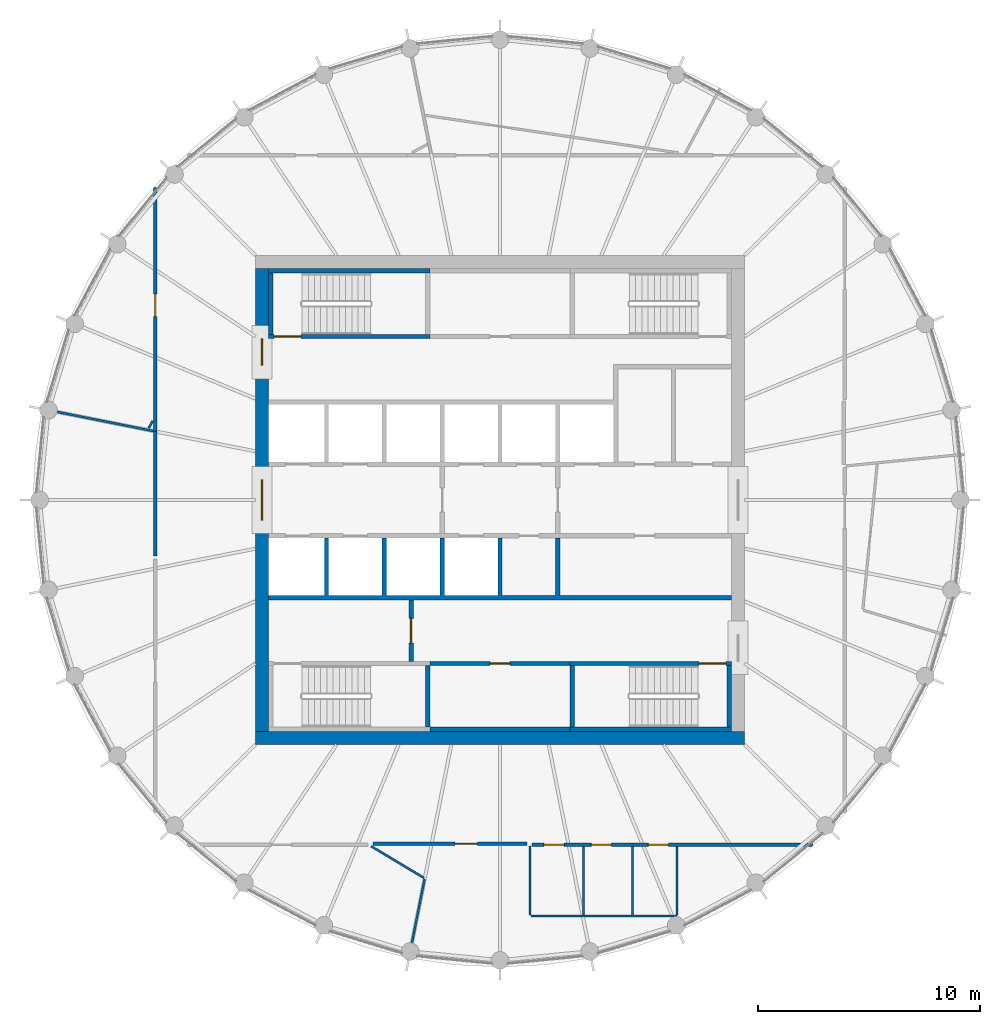
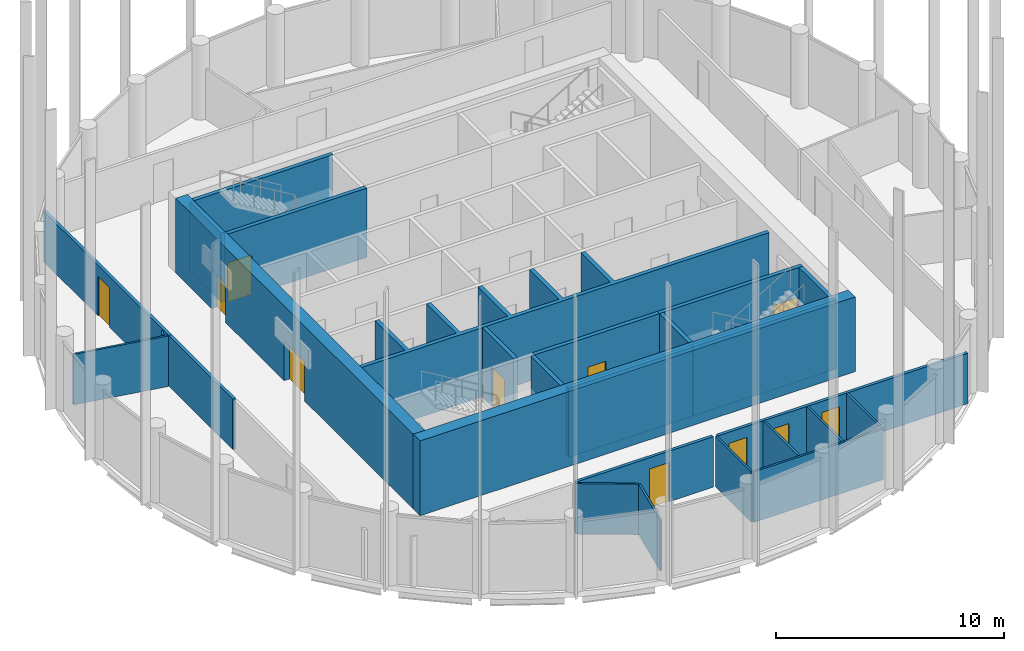
# One storey, part 4 of 7: 27 walls, 11 doors, 11 openings.
"""IFC4 building model written with IfcOpenShell, lengths in metres."""

import ifcopenshell
import ifcopenshell.guid

model = None  # the IFC model being written
_history = None  # IfcOwnerHistory: only IFC2X3 demands one
_inside = {}  # id of a spatial element -> (the spatial element, [elements in it])
_under = {}  # id of a project, library or spatial element -> (it, [spatial elements below it])
_declared = {}  # id of a project -> (the project, [libraries it declares])
_typed = {}  # id of a type object -> (the type object, [elements of that type])
_made_of = {}  # id of a material, layer set ... -> (it, [elements and type objects made of it])


def new_model(schema):
    """Start an empty IFC model of exactly this schema.

    Asked for "IFC4X3", IfcOpenShell would pick the latest addendum, in which some entities
    have other attributes; the version numbers below select the first issue.
    IFC2X3 requires an IfcOwnerHistory on every rooted entity: one is made here for all.
    """
    global model, _history
    if schema == "IFC4X3":
        model = ifcopenshell.file(schema_version=(4, 3, 0, 0))
    else:
        model = ifcopenshell.file(schema=schema)
    _inside.clear()
    _under.clear()
    _declared.clear()
    _typed.clear()
    _made_of.clear()
    _history = None
    if model.schema == "IFC2X3":
        org = make("IfcOrganization", Name="unknown")
        user = make(
            "IfcPersonAndOrganization",
            ThePerson=make("IfcPerson", FamilyName="unknown"),
            TheOrganization=org,
        )
        app = make(
            "IfcApplication",
            ApplicationDeveloper=org,
            Version="unknown",
            ApplicationFullName="unknown",
            ApplicationIdentifier="unknown",
        )
        _history = make(
            "IfcOwnerHistory",
            OwningUser=user,
            OwningApplication=app,
            ChangeAction="ADDED",
            CreationDate=0,
        )
    return model


def make(cls, **values):
    """One entity of the class cls with the attributes given. An attribute that is None is left unset."""
    return model.create_entity(
        cls, **{name: value for name, value in values.items() if value is not None}
    )


def rooted(cls, **values):
    """An entity with a GlobalId (a new one), such as an element, a storey or a relation."""
    return make(cls, GlobalId=ifcopenshell.guid.new(), OwnerHistory=_history, **values)


def si_unit(unit_type, name, prefix=None):
    """IfcSIUnit, for example si_unit("LENGTHUNIT", "METRE", prefix="MILLI")."""
    return make("IfcSIUnit", UnitType=unit_type, Prefix=prefix, Name=name)


def assignment(units):
    """IfcUnitAssignment: the units of a project."""
    return None if units is None else make("IfcUnitAssignment", Units=units)


def point(xyz):
    """IfcCartesianPoint."""
    return None if xyz is None else make("IfcCartesianPoint", Coordinates=xyz)


def direction(xyz):
    """IfcDirection."""
    return None if xyz is None else make("IfcDirection", DirectionRatios=xyz)


def frame(location, z_axis=None, x_axis=None):
    """IfcAxis2Placement3D, a coordinate frame: its origin and axes. An axis left out is left unset."""
    return make(
        "IfcAxis2Placement3D",
        Location=point(location),
        Axis=direction(z_axis),
        RefDirection=direction(x_axis),
    )


def frame_2d(location, x_axis=None):
    """IfcAxis2Placement2D, a coordinate frame in the plane: its origin and x axis."""
    return make(
        "IfcAxis2Placement2D", Location=point(location), RefDirection=direction(x_axis)
    )


def origin():
    """The frame at (0, 0, 0) with its axes left unset."""
    return frame((0.0, 0.0, 0.0))


def place(relative_to, where):
    """IfcLocalPlacement: puts the frame where relative to a parent placement (None: the world)."""
    return make(
        "IfcLocalPlacement", PlacementRelTo=relative_to, RelativePlacement=where
    )


def context(
    kind, dimensions, precision=None, world=None, true_north=None, identifier=None
):
    """IfcGeometricRepresentationContext, for example the 3D "Model" context."""
    return make(
        "IfcGeometricRepresentationContext",
        ContextIdentifier=identifier,
        ContextType=kind,
        CoordinateSpaceDimension=dimensions,
        Precision=precision,
        WorldCoordinateSystem=world,
        TrueNorth=true_north,
    )


def subcontext(parent, identifier, kind, view, scale=None):
    """IfcGeometricRepresentationSubContext, for example "Body" below "Model"."""
    return make(
        "IfcGeometricRepresentationSubContext",
        ContextIdentifier=identifier,
        ContextType=kind,
        ParentContext=parent,
        TargetScale=scale,
        TargetView=view,
    )


def project(units=None, contexts=None):
    """IfcProject with its units and contexts."""
    return rooted(
        "IfcProject",
        Name="project",
        RepresentationContexts=contexts,
        UnitsInContext=assignment(units),
    )


def spatial(cls, under=None, at=None, **own):
    """A site, building, storey or space (cls), placed at a placement, below another one or the project."""
    s = rooted(cls, ObjectPlacement=at, **own)
    if under is not None:
        _under.setdefault(under.id(), (under, []))[1].append(s)
    return s


def polyline(points):
    """IfcPolyline through the points."""
    return make("IfcPolyline", Points=[point(p) for p in points])


def profile(cls, at=None, kind="AREA", **sizes):
    """A parametric profile (cls). Its sizes go by their IFC names, for example OverallWidth=200.0."""
    return make(cls, ProfileType=kind, Position=at, **sizes)


def rectangle(**sizes):
    """IfcRectangleProfileDef."""
    return profile("IfcRectangleProfileDef", **sizes)


def outline(outer, holes=None, kind="AREA"):
    """IfcArbitraryClosedProfileDef: a profile drawn as a closed curve; with holes, ...WithVoids."""
    if holes is None:
        return make("IfcArbitraryClosedProfileDef", ProfileType=kind, OuterCurve=outer)
    return make(
        "IfcArbitraryProfileDefWithVoids",
        ProfileType=kind,
        OuterCurve=outer,
        InnerCurves=holes,
    )


def extrude(swept, where, along, depth):
    """IfcExtrudedAreaSolid: the profile swept, set in the frame where, extruded along a direction by depth."""
    return make(
        "IfcExtrudedAreaSolid",
        SweptArea=swept,
        Position=where,
        ExtrudedDirection=direction(along),
        Depth=depth,
    )


def shape(context_of_items, identifier, shape_type, items):
    """IfcShapeRepresentation: the items that make up one representation, for example the "Body"."""
    return make(
        "IfcShapeRepresentation",
        ContextOfItems=context_of_items,
        RepresentationIdentifier=identifier,
        RepresentationType=shape_type,
        Items=items,
    )


def material(Name=None, Category=None):
    """IfcMaterial."""
    return make("IfcMaterial", Name=Name, Category=Category)


def layer(
    of_material, thickness, ventilated=None, Name=None, Category=None, Priority=None
):
    """IfcMaterialLayer: one layer of a wall or slab, of a material (None: an air gap)."""
    return make(
        "IfcMaterialLayer",
        Material=of_material,
        LayerThickness=thickness,
        IsVentilated=ventilated,
        Name=Name,
        Category=Category,
        Priority=Priority,
    )


def layer_set(layers, Name=None):
    """IfcMaterialLayerSet."""
    return make("IfcMaterialLayerSet", MaterialLayers=layers, LayerSetName=Name)


def made_of(thing, what):
    """Note that an element or type object is made of a material, layer set ...; save() writes the relation."""
    if what is not None:
        _made_of.setdefault(what.id(), (what, []))[1].append(thing)
    return thing


def type_object(cls, material=None, **own):
    """A type object (cls), such as IfcWallType, which elements share."""
    return made_of(rooted(cls, **own), material)


def element(
    cls,
    number,
    at=None,
    inside=None,
    cuts=None,
    type_object=None,
    material=None,
    context=None,
    identifier="Body",
    shape_type=None,
    held_by="IfcProductDefinitionShape",
    body=None,
    shapes=None,
    **own,
):
    """One element of the class cls, such as IfcWall. Its Tag is "e" and its number.

    at: its placement. inside: the storey or other place that contains it. cuts: it is an
    opening in that element (IfcRelVoidsElement). A single representation is given by context,
    identifier, shape_type and body (its items); several are given by shapes. held_by: the class
    of the entity that holds the representations. save() writes the other relations.
    """
    e = rooted(cls, Tag="e%d" % number, ObjectPlacement=at, **own)
    if body is not None:
        shapes = [shape(context, identifier, shape_type, body)]
    if shapes is not None:
        e.Representation = make(held_by, Representations=shapes)
    if inside is not None:
        _inside.setdefault(inside.id(), (inside, []))[1].append(e)
    if cuts is not None:
        rooted(
            "IfcRelVoidsElement", RelatingBuildingElement=cuts, RelatedOpeningElement=e
        )
    if type_object is not None:
        _typed.setdefault(type_object.id(), (type_object, []))[1].append(e)
    return made_of(e, material)


def fill(opening, filler):
    """IfcRelFillsElement: the door or window that sits in an opening."""
    return rooted(
        "IfcRelFillsElement",
        RelatingOpeningElement=opening,
        RelatedBuildingElement=filler,
    )


def aggregate(whole, parts):
    """IfcRelAggregates: a whole, such as a stair, and the parts it consists of."""
    return rooted("IfcRelAggregates", RelatingObject=whole, RelatedObjects=parts)


def save(model, path):
    """Write the relations noted so far, then the file.

    IfcRelAggregates (storeys below a building ...), IfcRelContainedInSpatialStructure (elements
    in a storey), IfcRelDefinesByType, IfcRelAssociatesMaterial and IfcRelDeclares: one each for
    every whole, place, type object, material and project.
    """
    for whole, parts in _under.values():
        aggregate(whole, parts)
    for where, things in _inside.values():
        rooted(
            "IfcRelContainedInSpatialStructure",
            RelatedElements=things,
            RelatingStructure=where,
        )
    for kind, things in _typed.values():
        rooted("IfcRelDefinesByType", RelatedObjects=things, RelatingType=kind)
    for what, things in _made_of.values():
        rooted("IfcRelAssociatesMaterial", RelatedObjects=things, RelatingMaterial=what)
    for by, libraries in _declared.values():
        rooted("IfcRelDeclares", RelatingContext=by, RelatedDefinitions=libraries)
    model.write(path)


model = new_model("IFC4")

# Units and contexts
model_context = context("Model", 3, precision=1e-05, world=origin(), true_north=direction((0.0, 1.0)))
body_context = subcontext(model_context, "Body", "Model", "MODEL_VIEW")
ifc_project = project(units=[si_unit("LENGTHUNIT", "METRE"), si_unit("AREAUNIT", "SQUARE_METRE"), si_unit("VOLUMEUNIT", "CUBIC_METRE"), si_unit("PLANEANGLEUNIT", "RADIAN"), si_unit("MASSUNIT", "GRAM", prefix="KILO")], contexts=[model_context])

# Site, building, storey
site_placement = place(None, origin())
site = spatial("IfcSite", under=ifc_project, at=site_placement, CompositionType="ELEMENT")
building_placement = place(site_placement, origin())
building = spatial("IfcBuilding", under=site, at=building_placement, Name="Corvane Civic Tower", CompositionType="ELEMENT")
storey_placement = place(building_placement, frame((0.0, 0.0, 340.5)))
storey = spatial("IfcBuildingStorey", under=building, at=storey_placement, Name="L81", CompositionType="ELEMENT", Elevation=340.5)

# Wall
ifc_material_1 = material(Name="Concrete C40/50", Category="concrete")
ifc_layer_1 = layer(ifc_material_1, 0.60009765625)
ifc_layer_set_1 = layer_set([ifc_layer_1], Name="Concrete C40/50")
wall_type_1 = type_object("IfcWallType", Name="CORE WALL 600 C40/50", PredefinedType="SHEAR", material=ifc_layer_set_1)
wall_1_placement = place(storey_placement, frame((-11.0, -10.699951171875, 0.0), z_axis=(0.0, 0.0, 1.0), x_axis=(1.0, 0.0, 0.0)))
element("IfcWall", 1, at=wall_1_placement, inside=storey, type_object=wall_type_1, Name="W-L81-core-S", PredefinedType="SHEAR", context=body_context, shape_type="SweptSolid", body=[
    extrude(rectangle(XDim=22.0, YDim=0.60009765625, at=frame_2d((11.0, 0.0))), origin(), (0.0, 0.0, 1.0), 4.0),
])

# Wall, openings, doors
wall_2_placement = place(storey_placement, frame((-10.699951171875, -10.39990234375, 0.0), z_axis=(0.0, 0.0, 1.0), x_axis=(0.0, 1.0, 0.0)))
wall_2 = element("IfcWall", 2, at=wall_2_placement, inside=storey, type_object=wall_type_1, Name="W-L81-core-W", PredefinedType="SHEAR", context=body_context, shape_type="SweptSolid", body=[
    extrude(rectangle(XDim=20.7998046875, YDim=0.60009765625, at=frame_2d((10.39990234375, 0.0))), origin(), (0.0, 0.0, 1.0), 4.0),
])
opening_1_placement = place(wall_2_placement, frame((9.5, 0.0, 0.0)))
opening_1 = element("IfcOpeningElement", 3, at=opening_1_placement, cuts=wall_2, Name="Opening L81.C14", PredefinedType="OPENING", context=body_context, shape_type="SweptSolid", body=[
    extrude(rectangle(XDim=1.800048828125, YDim=2.10009765625, at=frame_2d((0.89990234375, 1.050048828125))), frame((0.0, 0.31005859375, 0.0), z_axis=(0.0, -1.0, 0.0), x_axis=(1.0, 0.0, 0.0)), (0.0, 0.0, 1.0), 0.6201171875),
])
opening_2_placement = place(wall_2_placement, frame((16.449951171875, 0.0, 0.0)))
opening_2 = element("IfcOpeningElement", 4, at=opening_2_placement, cuts=wall_2, Name="Opening L81.C16", PredefinedType="OPENING", context=body_context, shape_type="SweptSolid", body=[
    extrude(rectangle(XDim=1.199951171875, YDim=2.10009765625, at=frame_2d((0.60009765625, 1.050048828125))), frame((0.0, 0.31005859375, 0.0), z_axis=(0.0, -1.0, 0.0), x_axis=(1.0, 0.0, 0.0)), (0.0, 0.0, 1.0), 0.6201171875),
])
ifc_material_2 = material(Name="Steel fire door leaf", Category="steel")
door_type_1 = type_object("IfcDoorType", Name="CR-DOOR-CORE-1800", OperationType="DOUBLE_DOOR_SINGLE_SWING", PredefinedType="DOOR", material=ifc_material_2)
door_1_placement = place(opening_1_placement, origin())
door_1 = element("IfcDoor", 5, at=door_1_placement, inside=storey, type_object=door_type_1, Name="L81 door", OperationType="DOUBLE_DOOR_SINGLE_SWING", OverallHeight=2.10009765625, OverallWidth=1.800048828125, PredefinedType="DOOR", context=body_context, shape_type="SweptSolid", body=[
    extrude(rectangle(XDim=1.800048828125, YDim=2.10009765625, at=frame_2d((0.89990234375, 1.050048828125))), frame((0.0, 0.02490234375, 0.0), z_axis=(0.0, -1.0, 0.0), x_axis=(1.0, 0.0, 0.0)), (0.0, 0.0, 1.0), 0.050048828125),
])
fill(opening_1, door_1)
door_2_placement = place(opening_2_placement, origin())
door_2 = element("IfcDoor", 6, at=door_2_placement, inside=storey, type_object=door_type_1, Name="L81 door", OperationType="DOUBLE_DOOR_SINGLE_SWING", OverallHeight=2.10009765625, OverallWidth=1.199951171875, PredefinedType="DOOR", context=body_context, shape_type="SweptSolid", body=[
    extrude(rectangle(XDim=1.199951171875, YDim=2.10009765625, at=frame_2d((0.60009765625, 1.050048828125))), frame((0.0, 0.02490234375, 0.0), z_axis=(0.0, -1.0, 0.0), x_axis=(1.0, 0.0, 0.0)), (0.0, 0.0, 1.0), 0.050048828125),
])
fill(opening_2, door_2)

# Wall, opening, door
ifc_material_3 = material(Name="Concrete C30/37", Category="concrete")
ifc_layer_2 = layer(ifc_material_3, 0.199951171875)
ifc_layer_set_2 = layer_set([ifc_layer_2], Name="Concrete C30/37")
wall_type_2 = type_object("IfcWallType", Name="CR-WALL-200", PredefinedType="PARTITIONING", material=ifc_layer_set_2)
wall_3_placement = place(storey_placement, frame((-3.14990234375, -7.35009765625, 0.0), z_axis=(0.0, 0.0, 1.0), x_axis=(1.0, 0.0, 0.0)))
wall_3 = element("IfcWall", 7, at=wall_3_placement, inside=storey, type_object=wall_type_2, Name="L81 core partition wall", PredefinedType="PARTITIONING", context=body_context, shape_type="SweptSolid", body=[
    extrude(rectangle(XDim=6.2998046875, YDim=0.199951171875, at=frame_2d((3.14990234375, 0.0))), origin(), (0.0, 0.0, 1.0), 3.699951171875),
])
opening_3_placement = place(wall_3_placement, frame((2.699951171875, 0.0, 0.0)))
opening_3 = element("IfcOpeningElement", 8, at=opening_3_placement, cuts=wall_3, Name="Opening L81.C06", PredefinedType="OPENING", context=body_context, shape_type="SweptSolid", body=[
    extrude(rectangle(XDim=0.89990234375, YDim=2.10009765625, at=frame_2d((0.449951171875, 1.050048828125))), frame((0.0, 0.10986328125, 0.0), z_axis=(0.0, -1.0, 0.0), x_axis=(1.0, 0.0, 0.0)), (0.0, 0.0, 1.0), 0.219970703125),
])
ifc_material_4 = material(Name="Steel fire door leaf", Category="steel")
door_type_2 = type_object("IfcDoorType", Name="CR-DOOR-900", OperationType="SINGLE_SWING_LEFT", PredefinedType="DOOR", material=ifc_material_4)
door_3_placement = place(opening_3_placement, origin())
door_3 = element("IfcDoor", 9, at=door_3_placement, inside=storey, type_object=door_type_2, Name="L81 door", OperationType="SINGLE_SWING_LEFT", OverallHeight=2.10009765625, OverallWidth=0.89990234375, PredefinedType="DOOR", context=body_context, shape_type="SweptSolid", body=[
    extrude(rectangle(XDim=0.89990234375, YDim=2.10009765625, at=frame_2d((0.449951171875, 1.050048828125))), frame((0.0, 0.02490234375, 0.0), z_axis=(0.0, -1.0, 0.0), x_axis=(1.0, 0.0, 0.0)), (0.0, 0.0, 1.0), 0.050048828125),
])
fill(opening_3, door_3)

wall_4_placement = place(storey_placement, frame((-4.0, -7.25, 0.0), z_axis=(0.0, 0.0, 1.0), x_axis=(0.0, 1.0, 0.0)))
wall_4 = element("IfcWall", 10, at=wall_4_placement, inside=storey, type_object=wall_type_2, Name="L81 core partition wall", PredefinedType="PARTITIONING", context=body_context, shape_type="SweptSolid", body=[
    extrude(rectangle(XDim=2.75, YDim=0.199951171875, at=frame_2d((1.375, 0.0))), origin(), (0.0, 0.0, 1.0), 3.699951171875),
])
opening_4_placement = place(wall_4_placement, frame((0.824951171875, 0.0, 0.0)))
opening_4 = element("IfcOpeningElement", 11, at=opening_4_placement, cuts=wall_4, Name="Opening L81.C13", PredefinedType="OPENING", context=body_context, shape_type="SweptSolid", body=[
    extrude(rectangle(XDim=1.10009765625, YDim=2.10009765625, at=frame_2d((0.550048828125, 1.050048828125))), frame((0.0, 0.10986328125, 0.0), z_axis=(0.0, -1.0, 0.0), x_axis=(1.0, 0.0, 0.0)), (0.0, 0.0, 1.0), 0.219970703125),
])
ifc_material_5 = material(Name="Steel fire door leaf", Category="steel")
door_type_3 = type_object("IfcDoorType", Name="CR-DOOR-FFL-1100", OperationType="SINGLE_SWING_LEFT", PredefinedType="DOOR", material=ifc_material_5)
door_4_placement = place(opening_4_placement, origin())
door_4 = element("IfcDoor", 12, at=door_4_placement, inside=storey, type_object=door_type_3, Name="L81 lobby door", OperationType="SINGLE_SWING_LEFT", OverallHeight=2.10009765625, OverallWidth=1.10009765625, PredefinedType="DOOR", context=body_context, shape_type="SweptSolid", body=[
    extrude(rectangle(XDim=1.10009765625, YDim=2.10009765625, at=frame_2d((0.550048828125, 1.050048828125))), frame((0.0, 0.02490234375, 0.0), z_axis=(0.0, -1.0, 0.0), x_axis=(1.0, 0.0, 0.0)), (0.0, 0.0, 1.0), 0.050048828125),
])
fill(opening_4, door_4)

# Walls
wall_5_placement = place(storey_placement, origin())
element("IfcWall", 13, at=wall_5_placement, inside=storey, type_object=wall_type_2, Name="L81 core partition wall", PredefinedType="PARTITIONING", context=body_context, shape_type="SweptSolid", body=[
    extrude(outline(polyline([(-7.89990234375, -4.300048828125), (-7.89990234375, -1.699951171875), (-7.699951171875, -1.699951171875), (-7.699951171875, -4.300048828125), (-5.300048828125, -4.300048828125), (-5.300048828125, -1.699951171875), (-5.10009765625, -1.699951171875), (-5.10009765625, -4.300048828125), (-2.699951171875, -4.300048828125), (-2.699951171875, -1.699951171875), (-2.5, -1.699951171875), (-2.5, -4.300048828125), (-0.10009765625, -4.300048828125), (-0.10009765625, -1.699951171875), (0.10009765625, -1.699951171875), (0.10009765625, -4.300048828125), (2.5, -4.300048828125), (2.5, -1.699951171875), (2.699951171875, -1.699951171875), (2.699951171875, -4.300048828125), (10.39990234375, -4.300048828125), (10.39990234375, -4.5), (-10.39990234375, -4.5), (-10.39990234375, -4.300048828125), (-7.89990234375, -4.300048828125)])), origin(), (0.0, 0.0, 1.0), 3.699951171875),
])
wall_6_placement = place(storey_placement, origin())
element("IfcWall", 14, at=wall_6_placement, inside=storey, type_object=wall_type_2, Name="L81 core partition wall", PredefinedType="PARTITIONING", context=body_context, shape_type="SweptSolid", body=[
    extrude(outline(polyline([(3.14990234375, -10.199951171875), (3.14990234375, -10.39990234375), (-3.14990234375, -10.39990234375), (-3.14990234375, -10.199951171875), (3.14990234375, -10.199951171875)])), origin(), (0.0, 0.0, 1.0), 3.699951171875),
])
ifc_material_6 = material(Name="Plasterboard")
ifc_layer_3 = layer(ifc_material_6, 0.10009765625)
ifc_layer_set_3 = layer_set([ifc_layer_3], Name="Plasterboard")
wall_type_3 = type_object("IfcWallType", Name="Partition 100 plasterboard on studs", PredefinedType="PARTITIONING", material=ifc_layer_set_3)
wall_7_placement = place(storey_placement, frame((-3.95849609375, -19.900146484375, 0.0), z_axis=(0.0, 0.0, 1.0), x_axis=(0.195131501829, 0.980777088331, 0.0)))
element("IfcWall", 15, at=wall_7_placement, inside=storey, type_object=wall_type_3, Name="Partition L81.001", PredefinedType="PARTITIONING", context=body_context, shape_type="SweptSolid", body=[
    extrude(rectangle(XDim=2.908935546875, YDim=0.10009765625, at=frame_2d((1.45458984375, 0.0))), origin(), (0.0, 0.0, 1.0), 2.699951171875),
])
wall_8_placement = place(storey_placement, frame((1.4033203125, -18.699951171875, 0.0), z_axis=(0.0, 0.0, 1.0), x_axis=(1.0, 0.0, 0.0)))
element("IfcWall", 16, at=wall_8_placement, inside=storey, type_object=wall_type_3, Name="Partition L81.002", PredefinedType="PARTITIONING", context=body_context, shape_type="SweptSolid", body=[
    extrude(rectangle(XDim=6.550048828125, YDim=0.10009765625, at=frame_2d((3.27490234375, 0.0))), origin(), (0.0, 0.0, 1.0), 2.699951171875),
])
wall_9_placement = place(storey_placement, frame((7.953369140625, -18.64990234375, 0.0), z_axis=(0.0, 0.0, 1.0), x_axis=(0.0, 1.0, 0.0)))
element("IfcWall", 17, at=wall_9_placement, inside=storey, type_object=wall_type_3, Name="Partition L81.003", PredefinedType="PARTITIONING", context=body_context, shape_type="SweptSolid", body=[
    extrude(rectangle(XDim=3.074951171875, YDim=0.10009765625, at=frame_2d((1.53759765625, 0.0))), origin(), (0.0, 0.0, 1.0), 2.699951171875),
])
wall_10_placement = place(storey_placement, frame((1.353271484375, -18.64990234375, 0.0), z_axis=(0.0, 0.0, 1.0), x_axis=(0.0, 1.0, 0.0)))
element("IfcWall", 18, at=wall_10_placement, inside=storey, type_object=wall_type_3, Name="Partition L81.004", PredefinedType="PARTITIONING", context=body_context, shape_type="SweptSolid", body=[
    extrude(rectangle(XDim=3.099853515625, YDim=0.10009765625, at=frame_2d((1.5498046875, 0.0))), origin(), (0.0, 0.0, 1.0), 2.699951171875),
])
for number, where, z_axis, x_axis, name in (
    (19, (3.75341796875, -18.64990234375, 0.0), (0.0, 0.0, 1.0), (0.0, 1.0, 0.0), "Partition L81.005"),
    (20, (5.953369140625, -18.64990234375, 0.0), (0.0, 0.0, 1.0), (0.0, 1.0, 0.0), "Partition L81.006"),
):
    element("IfcWall", number, at=place(storey_placement, frame(where, z_axis=z_axis, x_axis=x_axis)), inside=storey, type_object=wall_type_3, Name=name, PredefinedType="PARTITIONING", context=body_context, shape_type="SweptSolid", body=[
        extrude(rectangle(XDim=3.074951171875, YDim=0.10009765625, at=frame_2d((1.53759765625, 0.0))), origin(), (0.0, 0.0, 1.0), 2.699951171875),
    ])
wall_11_placement = place(storey_placement, frame((-5.79443359375, -15.56787109375, 0.0), z_axis=(0.0, 0.0, 1.0), x_axis=(0.85774124689, -0.514081660229, 0.0)))
element("IfcWall", 21, at=wall_11_placement, inside=storey, type_object=wall_type_3, Name="Partition L81.007", PredefinedType="PARTITIONING", context=body_context, shape_type="SweptSolid", body=[
    extrude(rectangle(XDim=2.77490234375, YDim=0.10009765625, at=frame_2d((1.387451171875, 0.0))), origin(), (0.0, 0.0, 1.0), 2.699951171875),
])
wall_12_placement = place(storey_placement, frame((-19.900146484375, 3.95849609375, 0.0), z_axis=(0.0, 0.0, 1.0), x_axis=(0.98078501504, -0.195091656081, 0.0)))
element("IfcWall", 22, at=wall_12_placement, inside=storey, type_object=wall_type_3, Name="Partition L81.019", PredefinedType="PARTITIONING", context=body_context, shape_type="SweptSolid", body=[
    extrude(rectangle(XDim=4.39990234375, YDim=0.10009765625, at=frame_2d((2.199951171875, 0.0))), origin(), (0.0, 0.0, 1.0), 2.699951171875),
])
wall_13_placement = place(storey_placement, frame((-15.789794921875, 3.232666015625, 0.0), z_axis=(0.0, 0.0, 1.0), x_axis=(0.471271347015, 0.881988275139, 0.0)))
element("IfcWall", 23, at=wall_13_placement, inside=storey, type_object=wall_type_3, Name="Partition L81.027", PredefinedType="PARTITIONING", context=body_context, shape_type="SweptSolid", body=[
    extrude(rectangle(XDim=0.370849609375, YDim=0.10009765625, at=frame_2d((0.185546875, 0.0))), origin(), (0.0, 0.0, 1.0), 2.699951171875),
])

# Wall, opening, door
ifc_material_7 = material(Name="Concrete C50/60", Category="concrete")
ifc_layer_4 = layer(ifc_material_7, 0.199951171875)
ifc_layer_set_4 = layer_set([ifc_layer_4], Name="Concrete C50/60")
wall_type_4 = type_object("IfcWallType", Name="ST-WALL-200", PredefinedType="SHEAR", material=ifc_layer_set_4)
wall_14_placement = place(storey_placement, frame((3.14990234375, -7.35009765625, 0.0), z_axis=(0.0, 0.0, 1.0), x_axis=(1.0, 0.0, 0.0)))
wall_14 = element("IfcWall", 24, at=wall_14_placement, inside=storey, type_object=wall_type_4, Name="L81 stair enclosure wall", PredefinedType="SHEAR", context=body_context, shape_type="SweptSolid", body=[
    extrude(rectangle(XDim=7.25, YDim=0.199951171875, at=frame_2d((3.625, 0.0))), origin(), (0.0, 0.0, 1.0), 3.699951171875),
])
opening_5_placement = place(wall_14_placement, frame((5.800048828125, 0.0, 0.0)))
opening_5 = element("IfcOpeningElement", 25, at=opening_5_placement, cuts=wall_14, Name="Opening L81.C09", PredefinedType="OPENING", context=body_context, shape_type="SweptSolid", body=[
    extrude(rectangle(XDim=1.199951171875, YDim=2.10009765625, at=frame_2d((0.60009765625, 1.050048828125))), frame((0.0, 0.10986328125, 0.0), z_axis=(0.0, -1.0, 0.0), x_axis=(1.0, 0.0, 0.0)), (0.0, 0.0, 1.0), 0.219970703125),
])
ifc_material_8 = material(Name="Steel fire door leaf", Category="steel")
door_type_4 = type_object("IfcDoorType", Name="ST-DOOR-1200", OperationType="SINGLE_SWING_RIGHT", PredefinedType="DOOR", material=ifc_material_8)
door_5_placement = place(opening_5_placement, origin())
door_5 = element("IfcDoor", 26, at=door_5_placement, inside=storey, type_object=door_type_4, Name="L81 stair door", OperationType="SINGLE_SWING_RIGHT", OverallHeight=2.10009765625, OverallWidth=1.199951171875, PredefinedType="DOOR", context=body_context, shape_type="SweptSolid", body=[
    extrude(rectangle(XDim=1.199951171875, YDim=2.10009765625, at=frame_2d((0.60009765625, 1.050048828125))), frame((0.0, 0.02490234375, 0.0), z_axis=(0.0, -1.0, 0.0), x_axis=(1.0, 0.0, 0.0)), (0.0, 0.0, 1.0), 0.050048828125),
])
fill(opening_5, door_5)

wall_15_placement = place(storey_placement, frame((-10.39990234375, 7.35009765625, 0.0), z_axis=(0.0, 0.0, 1.0), x_axis=(1.0, 0.0, 0.0)))
wall_15 = element("IfcWall", 27, at=wall_15_placement, inside=storey, type_object=wall_type_4, Name="L81 stair enclosure wall", PredefinedType="SHEAR", context=body_context, shape_type="SweptSolid", body=[
    extrude(rectangle(XDim=7.25, YDim=0.199951171875, at=frame_2d((3.625, 0.0))), origin(), (0.0, 0.0, 1.0), 3.699951171875),
])
opening_6_placement = place(wall_15_placement, frame((0.25, 0.0, 0.0)))
opening_6 = element("IfcOpeningElement", 28, at=opening_6_placement, cuts=wall_15, Name="Opening L81.C08", PredefinedType="OPENING", context=body_context, shape_type="SweptSolid", body=[
    extrude(rectangle(XDim=1.199951171875, YDim=2.10009765625, at=frame_2d((0.60009765625, 1.050048828125))), frame((0.0, 0.10986328125, 0.0), z_axis=(0.0, -1.0, 0.0), x_axis=(1.0, 0.0, 0.0)), (0.0, 0.0, 1.0), 0.219970703125),
])
door_6_placement = place(opening_6_placement, origin())
door_6 = element("IfcDoor", 29, at=door_6_placement, inside=storey, type_object=door_type_4, Name="L81 stair door", OperationType="SINGLE_SWING_RIGHT", OverallHeight=2.10009765625, OverallWidth=1.199951171875, PredefinedType="DOOR", context=body_context, shape_type="SweptSolid", body=[
    extrude(rectangle(XDim=1.199951171875, YDim=2.10009765625, at=frame_2d((0.60009765625, 1.050048828125))), frame((0.0, 0.02490234375, 0.0), z_axis=(0.0, -1.0, 0.0), x_axis=(1.0, 0.0, 0.0)), (0.0, 0.0, 1.0), 0.050048828125),
])
fill(opening_6, door_6)

# Walls
wall_16_placement = place(storey_placement, origin())
element("IfcWall", 30, at=wall_16_placement, inside=storey, type_object=wall_type_4, Name="L81 stair enclosure wall", PredefinedType="SHEAR", context=body_context, shape_type="SweptSolid", body=[
    extrude(outline(polyline([(-3.14990234375, 10.199951171875), (-10.39990234375, 10.199951171875), (-10.39990234375, 10.39990234375), (-3.14990234375, 10.39990234375), (-3.14990234375, 10.199951171875)])), origin(), (0.0, 0.0, 1.0), 3.699951171875),
])
wall_17_placement = place(storey_placement, origin())
element("IfcWall", 31, at=wall_17_placement, inside=storey, type_object=wall_type_4, Name="L81 stair enclosure wall", PredefinedType="SHEAR", context=body_context, shape_type="SweptSolid", body=[
    extrude(outline(polyline([(10.39990234375, -10.39990234375), (3.14990234375, -10.39990234375), (3.14990234375, -10.199951171875), (10.39990234375, -10.199951171875), (10.39990234375, -10.39990234375)])), origin(), (0.0, 0.0, 1.0), 3.699951171875),
])
wall_18_placement = place(storey_placement, origin())
element("IfcWall", 32, at=wall_18_placement, inside=storey, type_object=wall_type_4, Name="L81 stair enclosure wall", PredefinedType="SHEAR", context=body_context, shape_type="SweptSolid", body=[
    extrude(outline(polyline([(-3.14990234375, -7.449951171875), (-3.14990234375, -10.199951171875), (-3.35009765625, -10.199951171875), (-3.35009765625, -7.449951171875), (-3.14990234375, -7.449951171875)])), origin(), (0.0, 0.0, 1.0), 3.699951171875),
])
wall_19_placement = place(storey_placement, origin())
element("IfcWall", 33, at=wall_19_placement, inside=storey, type_object=wall_type_4, Name="L81 stair enclosure wall", PredefinedType="SHEAR", context=body_context, shape_type="SweptSolid", body=[
    extrude(outline(polyline([(3.35009765625, -7.449951171875), (3.35009765625, -10.199951171875), (3.14990234375, -10.199951171875), (3.14990234375, -7.449951171875), (3.35009765625, -7.449951171875)])), origin(), (0.0, 0.0, 1.0), 3.699951171875),
])
wall_20_placement = place(storey_placement, origin())
element("IfcWall", 34, at=wall_20_placement, inside=storey, type_object=wall_type_4, Name="L81 stair enclosure wall", PredefinedType="SHEAR", context=body_context, shape_type="SweptSolid", body=[
    extrude(outline(polyline([(-10.199951171875, 7.449951171875), (-10.39990234375, 7.449951171875), (-10.39990234375, 10.199951171875), (-10.199951171875, 10.199951171875), (-10.199951171875, 7.449951171875)])), origin(), (0.0, 0.0, 1.0), 3.699951171875),
])
wall_21_placement = place(storey_placement, origin())
element("IfcWall", 35, at=wall_21_placement, inside=storey, type_object=wall_type_4, Name="L81 stair enclosure wall", PredefinedType="SHEAR", context=body_context, shape_type="SweptSolid", body=[
    extrude(outline(polyline([(10.39990234375, -7.449951171875), (10.39990234375, -10.199951171875), (10.199951171875, -10.199951171875), (10.199951171875, -7.449951171875), (10.39990234375, -7.449951171875)])), origin(), (0.0, 0.0, 1.0), 3.699951171875),
])

# Wall, openings, doors
ifc_material_9 = material(Name="Plasterboard")
ifc_layer_5 = layer(ifc_material_9, 0.14990234375)
ifc_layer_set_5 = layer_set([ifc_layer_5], Name="Plasterboard")
wall_type_5 = type_object("IfcWallType", Name="Tenancy wall 150 EI 60", PredefinedType="PARTITIONING", material=ifc_layer_set_5)
wall_22_placement = place(storey_placement, frame((1.42822265625, -15.5, 0.0), z_axis=(0.0, 0.0, 1.0), x_axis=(1.0, 0.0, 0.0)))
wall_22 = element("IfcWall", 36, at=wall_22_placement, inside=storey, type_object=wall_type_5, Name="Partition L81.009", PredefinedType="PARTITIONING", context=body_context, shape_type="SweptSolid", body=[
    extrude(rectangle(XDim=12.62890625, YDim=0.14990234375, at=frame_2d((6.314453125, 0.0))), origin(), (0.0, 0.0, 1.0), 2.699951171875),
])
opening_7_placement = place(wall_22_placement, frame((0.5498046875, 0.0, 0.0)))
opening_7 = element("IfcOpeningElement", 37, at=opening_7_placement, cuts=wall_22, Name="Opening L81.012", PredefinedType="OPENING", context=body_context, shape_type="SweptSolid", body=[
    extrude(rectangle(XDim=0.89990234375, YDim=2.10009765625, at=frame_2d((0.449951171875, 1.050048828125))), frame((0.0, 0.0849609375, 0.0), z_axis=(0.0, -1.0, 0.0), x_axis=(1.0, 0.0, 0.0)), (0.0, 0.0, 1.0), 0.169921875),
])
opening_8_placement = place(wall_22_placement, frame((2.681884765625, 0.0, 0.0)))
opening_8 = element("IfcOpeningElement", 38, at=opening_8_placement, cuts=wall_22, Name="Opening L81.013", PredefinedType="OPENING", context=body_context, shape_type="SweptSolid", body=[
    extrude(rectangle(XDim=0.89990234375, YDim=2.10009765625, at=frame_2d((0.449951171875, 1.050048828125))), frame((0.0, 0.0849609375, 0.0), z_axis=(0.0, -1.0, 0.0), x_axis=(1.0, 0.0, 0.0)), (0.0, 0.0, 1.0), 0.169921875),
])
opening_9_placement = place(wall_22_placement, frame((5.242431640625, 0.0, 0.0)))
opening_9 = element("IfcOpeningElement", 39, at=opening_9_placement, cuts=wall_22, Name="Opening L81.014", PredefinedType="OPENING", context=body_context, shape_type="SweptSolid", body=[
    extrude(rectangle(XDim=0.89990234375, YDim=2.10009765625, at=frame_2d((0.449951171875, 1.050048828125))), frame((0.0, 0.0849609375, 0.0), z_axis=(0.0, -1.0, 0.0), x_axis=(1.0, 0.0, 0.0)), (0.0, 0.0, 1.0), 0.169921875),
])
ifc_material_10 = material(Name="Steel and timber", Category="steel")
door_type_5 = type_object("IfcDoorType", Name="Fire door FD30S 900", OperationType="NOTDEFINED", PredefinedType="DOOR", material=ifc_material_10)
door_7_placement = place(opening_7_placement, frame((0.89990234375, 0.0, 0.0), z_axis=(0.0, 0.0, 1.0), x_axis=(-1.0, 0.0, 0.0)))
door_7 = element("IfcDoor", 40, at=door_7_placement, inside=storey, type_object=door_type_5, Name="Door L81.012", OperationType="SINGLE_SWING_LEFT", OverallHeight=2.10009765625, OverallWidth=0.89990234375, PredefinedType="DOOR", context=body_context, shape_type="SweptSolid", body=[
    extrude(rectangle(XDim=0.89990234375, YDim=2.10009765625, at=frame_2d((0.449951171875, 1.050048828125))), frame((0.0, 0.02490234375, 0.0), z_axis=(0.0, -1.0, 0.0), x_axis=(1.0, 0.0, 0.0)), (0.0, 0.0, 1.0), 0.050048828125),
])
fill(opening_7, door_7)
door_8_placement = place(opening_8_placement, frame((0.89990234375, 0.0, 0.0), z_axis=(0.0, 0.0, 1.0), x_axis=(-1.0, 0.0, 0.0)))
door_8 = element("IfcDoor", 41, at=door_8_placement, inside=storey, type_object=door_type_5, Name="Door L81.013", OperationType="SINGLE_SWING_RIGHT", OverallHeight=2.10009765625, OverallWidth=0.89990234375, PredefinedType="DOOR", context=body_context, shape_type="SweptSolid", body=[
    extrude(rectangle(XDim=0.89990234375, YDim=2.10009765625, at=frame_2d((0.449951171875, 1.050048828125))), frame((0.0, 0.02490234375, 0.0), z_axis=(0.0, -1.0, 0.0), x_axis=(1.0, 0.0, 0.0)), (0.0, 0.0, 1.0), 0.050048828125),
])
fill(opening_8, door_8)
door_9_placement = place(opening_9_placement, frame((0.89990234375, 0.0, 0.0), z_axis=(0.0, 0.0, 1.0), x_axis=(-1.0, 0.0, 0.0)))
door_9 = element("IfcDoor", 42, at=door_9_placement, inside=storey, type_object=door_type_5, Name="Door L81.014", OperationType="SINGLE_SWING_LEFT", OverallHeight=2.10009765625, OverallWidth=0.89990234375, PredefinedType="DOOR", context=body_context, shape_type="SweptSolid", body=[
    extrude(rectangle(XDim=0.89990234375, YDim=2.10009765625, at=frame_2d((0.449951171875, 1.050048828125))), frame((0.0, 0.02490234375, 0.0), z_axis=(0.0, -1.0, 0.0), x_axis=(1.0, 0.0, 0.0)), (0.0, 0.0, 1.0), 0.050048828125),
])
fill(opening_9, door_9)

# Wall, opening, door
wall_23_placement = place(storey_placement, frame((-5.72021484375, -15.449951171875, 0.0), z_axis=(0.0, 0.0, 1.0), x_axis=(1.0, 0.0, 0.0)))
wall_23 = element("IfcWall", 43, at=wall_23_placement, inside=storey, type_object=wall_type_5, Name="Partition L81.010", PredefinedType="PARTITIONING", context=body_context, shape_type="SweptSolid", body=[
    extrude(rectangle(XDim=6.939208984375, YDim=0.14990234375, at=frame_2d((3.4697265625, 0.0))), origin(), (0.0, 0.0, 1.0), 2.699951171875),
])
opening_10_placement = place(wall_23_placement, frame((3.705810546875, 0.0, 0.0)))
opening_10 = element("IfcOpeningElement", 44, at=opening_10_placement, cuts=wall_23, Name="Opening L81.011", PredefinedType="OPENING", context=body_context, shape_type="SweptSolid", body=[
    extrude(rectangle(XDim=1.0, YDim=2.10009765625, at=frame_2d((0.5, 1.050048828125))), frame((0.0, 0.0849609375, 0.0), z_axis=(0.0, -1.0, 0.0), x_axis=(1.0, 0.0, 0.0)), (0.0, 0.0, 1.0), 0.169921875),
])
ifc_material_11 = material(Name="Steel and timber", Category="steel")
door_type_6 = type_object("IfcDoorType", Name="Fire door FD30S 1000", OperationType="NOTDEFINED", PredefinedType="DOOR", material=ifc_material_11)
door_10_placement = place(opening_10_placement, frame((1.0, 0.0, 0.0), z_axis=(0.0, 0.0, 1.0), x_axis=(-1.0, 0.0, 0.0)))
door_10 = element("IfcDoor", 45, at=door_10_placement, inside=storey, type_object=door_type_6, Name="Door L81.011", OperationType="SINGLE_SWING_LEFT", OverallHeight=2.10009765625, OverallWidth=1.0, PredefinedType="DOOR", context=body_context, shape_type="SweptSolid", body=[
    extrude(rectangle(XDim=1.0, YDim=2.10009765625, at=frame_2d((0.5, 1.050048828125))), frame((0.0, 0.02490234375, 0.0), z_axis=(0.0, -1.0, 0.0), x_axis=(1.0, 0.0, 0.0)), (0.0, 0.0, 1.0), 0.050048828125),
])
fill(opening_10, door_10)

# Wall
wall_24_placement = place(storey_placement, frame((-15.5, -2.52685546875, 0.0), z_axis=(0.0, 0.0, 1.0), x_axis=(0.0, 1.0, 0.0)))
element("IfcWall", 46, at=wall_24_placement, inside=storey, type_object=wall_type_5, Name="Partition L81.015", PredefinedType="PARTITIONING", context=body_context, shape_type="SweptSolid", body=[
    extrude(rectangle(XDim=5.60986328125, YDim=0.14990234375, at=frame_2d((2.804931640625, 0.0))), origin(), (0.0, 0.0, 1.0), 2.699951171875),
])

# Wall, opening, door
wall_25_placement = place(storey_placement, frame((-15.5, 3.0830078125, 0.0), z_axis=(0.0, 0.0, 1.0), x_axis=(0.0, 1.0, 0.0)))
wall_25 = element("IfcWall", 47, at=wall_25_placement, inside=storey, type_object=wall_type_5, Name="Partition L81.018", PredefinedType="PARTITIONING", context=body_context, shape_type="SweptSolid", body=[
    extrude(rectangle(XDim=10.97412109375, YDim=0.14990234375, at=frame_2d((5.487060546875, 0.0))), origin(), (0.0, 0.0, 1.0), 2.699951171875),
])
opening_11_placement = place(wall_25_placement, frame((5.17333984375, 0.0, 0.0)))
opening_11 = element("IfcOpeningElement", 48, at=opening_11_placement, cuts=wall_25, Name="Opening L81.003", PredefinedType="OPENING", context=body_context, shape_type="SweptSolid", body=[
    extrude(rectangle(XDim=1.0, YDim=2.10009765625, at=frame_2d((0.5, 1.050048828125))), frame((0.0, 0.0849609375, 0.0), z_axis=(0.0, -1.0, 0.0), x_axis=(1.0, 0.0, 0.0)), (0.0, 0.0, 1.0), 0.169921875),
])
door_11_placement = place(opening_11_placement, origin())
door_11 = element("IfcDoor", 49, at=door_11_placement, inside=storey, type_object=door_type_6, Name="Door L81.003", OperationType="SINGLE_SWING_LEFT", OverallHeight=2.10009765625, OverallWidth=1.0, PredefinedType="DOOR", context=body_context, shape_type="SweptSolid", body=[
    extrude(rectangle(XDim=1.0, YDim=2.10009765625, at=frame_2d((0.5, 1.050048828125))), frame((0.0, 0.02490234375, 0.0), z_axis=(0.0, -1.0, 0.0), x_axis=(1.0, 0.0, 0.0)), (0.0, 0.0, 1.0), 0.050048828125),
])
fill(opening_11, door_11)

save(model, "model.ifc")
